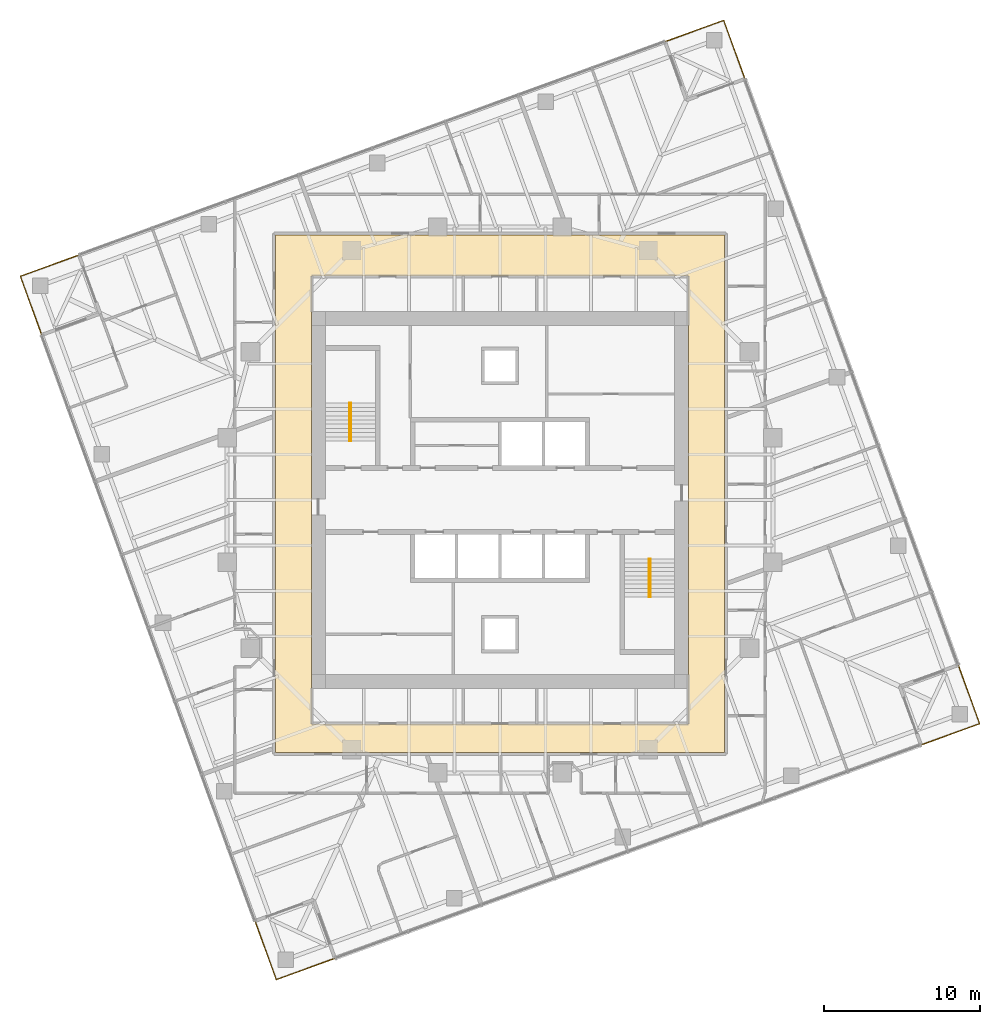
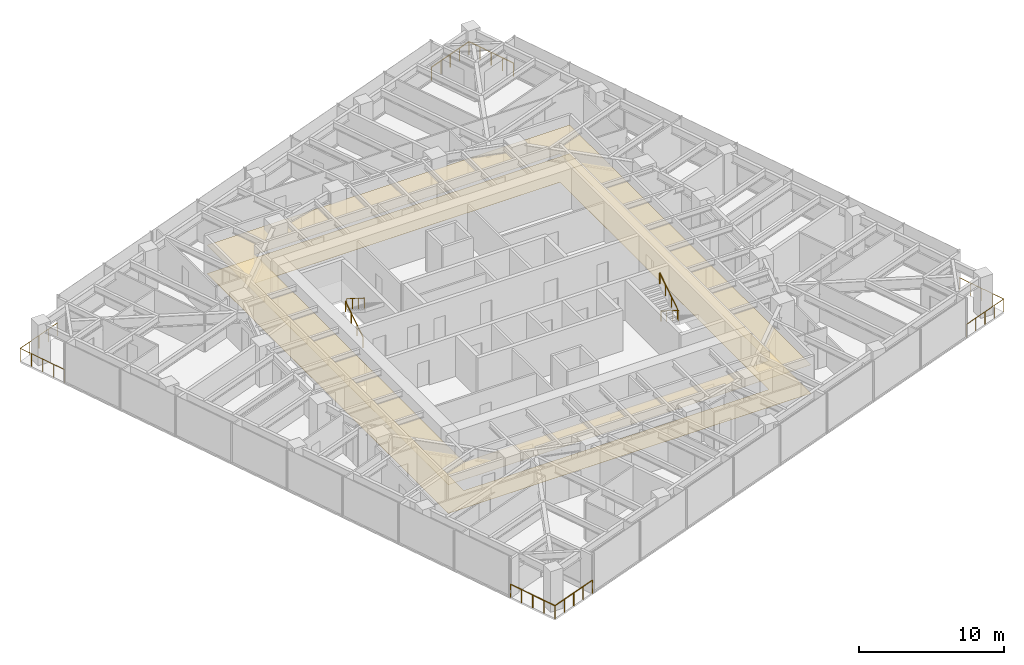
# One storey, part 13 of 13: 8 railings, 2 coverings, 2 elements without a shape of their own.
"""IFC4 building model written with IfcOpenShell, lengths in metres."""

from ifc_helpers import new_model, si_unit, direction, frame, origin, origin_2d, place, context, subcontext, project, spatial, polyline, circle, outline, extrude, material, layer, layer_set, type_object, element, aggregate, save


model = new_model("IFC4")

# Units and contexts
model_context = context("Model", 3, precision=1e-05, world=origin(), true_north=direction((0.0, 1.0)))
body_context = subcontext(model_context, "Body", "Model", "MODEL_VIEW")
ifc_project = project(units=[si_unit("LENGTHUNIT", "METRE"), si_unit("AREAUNIT", "SQUARE_METRE"), si_unit("VOLUMEUNIT", "CUBIC_METRE"), si_unit("PLANEANGLEUNIT", "RADIAN"), si_unit("MASSUNIT", "GRAM", prefix="KILO")], contexts=[model_context])

# Site, building, storey
site_placement = place(None, origin())
site = spatial("IfcSite", under=ifc_project, at=site_placement, CompositionType="ELEMENT")
building_placement = place(site_placement, origin())
building = spatial("IfcBuilding", under=site, at=building_placement, Name="Torsade Residences", CompositionType="ELEMENT")
storey_placement = place(building_placement, frame((0.0, 0.0, 157.39990234375)))
storey = spatial("IfcBuildingStorey", under=building, at=storey_placement, Name="L43", CompositionType="ELEMENT", Elevation=157.39990234375)

# Coverings
ifc_material_1 = material(Name="Nylon carpet tile on underlay", Category="textile")
ifc_layer_1 = layer(ifc_material_1, 0.010009765625)
ifc_layer_set_1 = layer_set([ifc_layer_1], Name="Nylon carpet tile on underlay")
covering_type_1 = type_object("IfcCoveringType", Name="CORRIDOR CARPET TILE 10", PredefinedType="FLOORING", material=ifc_layer_set_1)
covering_1_placement = place(storey_placement, origin())
element("IfcCovering", 1, at=covering_1_placement, inside=storey, type_object=covering_type_1, Name="Corridor carpet L43", PredefinedType="FLOORING", context=body_context, shape_type="SweptSolid", body=[
    extrude(outline(polyline([(25.60009765625, 47.0), (25.60009765625, 13.800048828125), (54.39990234375, 13.800048828125), (54.39990234375, 47.0), (25.60009765625, 47.0)]), holes=[polyline([(52.10009765625, 44.35009765625), (27.89990234375, 44.35009765625), (27.89990234375, 15.64990234375), (52.10009765625, 15.64990234375), (52.10009765625, 44.35009765625)])]), origin(), (0.0, 0.0, 1.0), 0.010009765625),
])
ifc_material_2 = material(Name="Plasterboard on suspended steel grid", Category="steel")
ifc_layer_2 = layer(ifc_material_2, 0.012939453125)
ifc_layer_set_2 = layer_set([ifc_layer_2], Name="Plasterboard on suspended steel grid")
covering_type_2 = type_object("IfcCoveringType", Name="CORRIDOR SUSPENDED CEILING 13", PredefinedType="CEILING", material=ifc_layer_set_2)
covering_2_placement = place(storey_placement, frame((0.0, 0.0, 2.400146484375)))
element("IfcCovering", 2, at=covering_2_placement, inside=storey, type_object=covering_type_2, Name="Corridor ceiling L43", PredefinedType="CEILING", context=body_context, shape_type="SweptSolid", body=[
    extrude(outline(polyline([(25.60009765625, 47.0), (25.60009765625, 13.800048828125), (54.39990234375, 13.800048828125), (54.39990234375, 47.0), (25.60009765625, 47.0)]), holes=[polyline([(52.10009765625, 44.35009765625), (27.89990234375, 44.35009765625), (27.89990234375, 15.64990234375), (52.10009765625, 15.64990234375), (52.10009765625, 44.35009765625)])]), origin(), (0.0, 0.0, 1.0), 0.012939453125),
])

# Stair, railings
ifc_material_3 = material(Name="Precast concrete 40 MPa", Category="concrete")
stair_type = type_object("IfcStairType", Name="HALF-TURN FIRE STAIR 1500x3400", PredefinedType="HALF_TURN_STAIR", material=ifc_material_3)
stair_1_placement = place(storey_placement, origin())
stair_1 = element("IfcStair", 3, at=stair_1_placement, inside=storey, type_object=stair_type, Name="Stair ST1 L43", PredefinedType="HALF_TURN_STAIR")
ifc_material_4 = material(Name="Steel handrail", Category="steel")
railing_type_1 = type_object("IfcRailingType", Name="STAIR HANDRAIL 900", PredefinedType="HANDRAIL", material=ifc_material_4)
railing_1_placement = place(storey_placement, frame((30.35009765625, 33.780029296875, 0.170166015625)))
railing_1 = element("IfcRailing", 4, at=railing_1_placement, type_object=railing_type_1, Name="Handrail ST1 flight 1 L43", PredefinedType="HANDRAIL", context=body_context, shape_type="SweptSolid", body=[
    extrude(circle(Radius=0.02392578125, at=origin_2d()), frame((0.0, 0.0, 0.8759765625), z_axis=(0.0, 0.846221481393, 0.532831309544), x_axis=(-1.0, 0.0, 0.0)), (0.0, 0.0, 1.0), 2.87158203125),
    extrude(circle(Radius=0.02099609375, at=origin_2d()), origin(), (0.0, 0.0, 1.0), 0.851806640625),
    extrude(circle(Radius=0.02099609375, at=origin_2d()), frame((0.0, 0.81005859375, 0.510009765625)), (0.0, 0.0, 1.0), 0.851806640625),
    extrude(circle(Radius=0.02099609375, at=origin_2d()), frame((0.0, 1.619873046875, 1.02001953125)), (0.0, 0.0, 1.0), 0.851806640625),
    extrude(circle(Radius=0.02099609375, at=origin_2d()), frame((0.0, 2.429931640625, 1.530029296875)), (0.0, 0.0, 1.0), 0.851806640625),
])
railing_2_placement = place(storey_placement, frame((30.449951171875, 36.2099609375, 1.8701171875)))
railing_2 = element("IfcRailing", 5, at=railing_2_placement, type_object=railing_type_1, Name="Handrail ST1 flight 2 L43", PredefinedType="HANDRAIL", context=body_context, shape_type="SweptSolid", body=[
    extrude(circle(Radius=0.02392578125, at=origin_2d()), frame((0.0, 0.0, 0.8759765625), z_axis=(0.0, -0.846221481393, 0.532831309544), x_axis=(1.0, 0.0, 0.0)), (0.0, 0.0, 1.0), 2.87158203125),
    extrude(circle(Radius=0.02099609375, at=origin_2d()), origin(), (0.0, 0.0, 1.0), 0.851806640625),
    extrude(circle(Radius=0.02099609375, at=origin_2d()), frame((0.0, -0.81005859375, 0.510009765625)), (0.0, 0.0, 1.0), 0.851806640625),
    extrude(circle(Radius=0.02099609375, at=origin_2d()), frame((0.0, -1.619873046875, 1.02001953125)), (0.0, 0.0, 1.0), 0.851806640625),
    extrude(circle(Radius=0.02099609375, at=origin_2d()), frame((0.0, -2.429931640625, 1.530029296875)), (0.0, 0.0, 1.0), 0.851806640625),
])
aggregate(stair_1, [railing_1, railing_2])

stair_2_placement = place(storey_placement, origin())
stair_2 = element("IfcStair", 6, at=stair_2_placement, inside=storey, type_object=stair_type, Name="Stair ST2 L43", PredefinedType="HALF_TURN_STAIR")
railing_3_placement = place(storey_placement, frame((49.64990234375, 26.219970703125, 0.170166015625)))
railing_3 = element("IfcRailing", 7, at=railing_3_placement, type_object=railing_type_1, Name="Handrail ST2 flight 1 L43", PredefinedType="HANDRAIL", context=body_context, shape_type="SweptSolid", body=[
    extrude(circle(Radius=0.02392578125, at=origin_2d()), frame((0.0, 0.0, 0.8759765625), z_axis=(0.0, -0.846221481393, 0.532831309544), x_axis=(1.0, 0.0, 0.0)), (0.0, 0.0, 1.0), 2.87158203125),
    extrude(circle(Radius=0.02099609375, at=origin_2d()), origin(), (0.0, 0.0, 1.0), 0.851806640625),
    extrude(circle(Radius=0.02099609375, at=origin_2d()), frame((0.0, -0.81005859375, 0.510009765625)), (0.0, 0.0, 1.0), 0.851806640625),
    extrude(circle(Radius=0.02099609375, at=origin_2d()), frame((0.0, -1.619873046875, 1.02001953125)), (0.0, 0.0, 1.0), 0.851806640625),
    extrude(circle(Radius=0.02099609375, at=origin_2d()), frame((0.0, -2.429931640625, 1.530029296875)), (0.0, 0.0, 1.0), 0.851806640625),
])
railing_4_placement = place(storey_placement, frame((49.550048828125, 23.7900390625, 1.8701171875)))
railing_4 = element("IfcRailing", 8, at=railing_4_placement, type_object=railing_type_1, Name="Handrail ST2 flight 2 L43", PredefinedType="HANDRAIL", context=body_context, shape_type="SweptSolid", body=[
    extrude(circle(Radius=0.02392578125, at=origin_2d()), frame((0.0, 0.0, 0.8759765625), z_axis=(0.0, 0.846221481393, 0.532831309544), x_axis=(-1.0, 0.0, 0.0)), (0.0, 0.0, 1.0), 2.87158203125),
    extrude(circle(Radius=0.02099609375, at=origin_2d()), origin(), (0.0, 0.0, 1.0), 0.851806640625),
    extrude(circle(Radius=0.02099609375, at=origin_2d()), frame((0.0, 0.81005859375, 0.510009765625)), (0.0, 0.0, 1.0), 0.851806640625),
    extrude(circle(Radius=0.02099609375, at=origin_2d()), frame((0.0, 1.619873046875, 1.02001953125)), (0.0, 0.0, 1.0), 0.851806640625),
    extrude(circle(Radius=0.02099609375, at=origin_2d()), frame((0.0, 2.429931640625, 1.530029296875)), (0.0, 0.0, 1.0), 0.851806640625),
])
aggregate(stair_2, [railing_3, railing_4])

# Railings
ifc_material_5 = material(Name="Laminated glass balustrade", Category="glass")
railing_type_2 = type_object("IfcRailingType", Name="TERRACE GLASS BALUSTRADE 1100", PredefinedType="BALUSTRADE", material=ifc_material_5)
railing_5_placement = place(storey_placement, frame((67.00244140625, 14.287841796875, 0.0)))
element("IfcRailing", 9, at=railing_5_placement, inside=storey, type_object=railing_type_2, Name="Terrace balustrade SE L43", PredefinedType="BALUSTRADE", context=body_context, shape_type="SweptSolid", body=[
    extrude(circle(Radius=0.02392578125, at=origin_2d()), frame((0.0, 0.0, 1.076171875), z_axis=(0.939698932726, 0.342002800914, 0.0), x_axis=(-0.342002800914, 0.939698932726, 0.0)), (0.0, 0.0, 1.0), 3.999755859375),
    extrude(circle(Radius=0.02392578125, at=origin_2d()), frame((3.758544921875, 1.367919921875, 1.076171875), z_axis=(-0.341983185197, 0.939706071622, 0.0), x_axis=(-0.939706071622, -0.341983185197, 0.0)), (0.0, 0.0, 1.0), 4.0),
    extrude(circle(Radius=0.02099609375, at=origin_2d()), origin(), (0.0, 0.0, 1.0), 1.052001953125),
    extrude(circle(Radius=0.02099609375, at=origin_2d()), frame((0.939697265625, 0.342041015625, 0.0)), (0.0, 0.0, 1.0), 1.052001953125),
    extrude(circle(Radius=0.02099609375, at=origin_2d()), frame((1.87939453125, 0.68408203125, 0.0)), (0.0, 0.0, 1.0), 1.052001953125),
    extrude(circle(Radius=0.02099609375, at=origin_2d()), frame((2.81884765625, 1.02587890625, 0.0)), (0.0, 0.0, 1.0), 1.052001953125),
    extrude(circle(Radius=0.02099609375, at=origin_2d()), frame((3.758544921875, 1.367919921875, 0.0)), (0.0, 0.0, 1.0), 1.052001953125),
    extrude(circle(Radius=0.02099609375, at=origin_2d()), frame((3.41650390625, 2.3076171875, 0.0)), (0.0, 0.0, 1.0), 1.052001953125),
    extrude(circle(Radius=0.02099609375, at=origin_2d()), frame((3.07470703125, 3.247314453125, 0.0)), (0.0, 0.0, 1.0), 1.052001953125),
    extrude(circle(Radius=0.02099609375, at=origin_2d()), frame((2.732666015625, 4.18701171875, 0.0)), (0.0, 0.0, 1.0), 1.052001953125),
    extrude(circle(Radius=0.02099609375, at=origin_2d()), frame((2.390625, 5.126708984375, 0.0)), (0.0, 0.0, 1.0), 1.052001953125),
])
railing_6_placement = place(storey_placement, frame((55.712158203125, 57.00244140625, 0.0)))
element("IfcRailing", 10, at=railing_6_placement, inside=storey, type_object=railing_type_2, Name="Terrace balustrade NE L43", PredefinedType="BALUSTRADE", context=body_context, shape_type="SweptSolid", body=[
    extrude(circle(Radius=0.02392578125, at=origin_2d()), frame((0.0, 0.0, 1.076171875), z_axis=(-0.342002800914, 0.939698932726, 0.0), x_axis=(-0.939698932726, -0.342002800914, 0.0)), (0.0, 0.0, 1.0), 3.999755859375),
    extrude(circle(Radius=0.02392578125, at=origin_2d()), frame((-1.367919921875, 3.758544921875, 1.076171875), z_axis=(-0.939706071622, -0.341983185197, 0.0), x_axis=(0.341983185197, -0.939706071622, 0.0)), (0.0, 0.0, 1.0), 4.0),
    extrude(circle(Radius=0.02099609375, at=origin_2d()), origin(), (0.0, 0.0, 1.0), 1.052001953125),
    extrude(circle(Radius=0.02099609375, at=origin_2d()), frame((-0.342041015625, 0.939697265625, 0.0)), (0.0, 0.0, 1.0), 1.052001953125),
    extrude(circle(Radius=0.02099609375, at=origin_2d()), frame((-0.68408203125, 1.87939453125, 0.0)), (0.0, 0.0, 1.0), 1.052001953125),
    extrude(circle(Radius=0.02099609375, at=origin_2d()), frame((-1.02587890625, 2.81884765625, 0.0)), (0.0, 0.0, 1.0), 1.052001953125),
    extrude(circle(Radius=0.02099609375, at=origin_2d()), frame((-1.367919921875, 3.758544921875, 0.0)), (0.0, 0.0, 1.0), 1.052001953125),
    extrude(circle(Radius=0.02099609375, at=origin_2d()), frame((-2.3076171875, 3.41650390625, 0.0)), (0.0, 0.0, 1.0), 1.052001953125),
    extrude(circle(Radius=0.02099609375, at=origin_2d()), frame((-3.247314453125, 3.07470703125, 0.0)), (0.0, 0.0, 1.0), 1.052001953125),
    extrude(circle(Radius=0.02099609375, at=origin_2d()), frame((-4.18701171875, 2.732666015625, 0.0)), (0.0, 0.0, 1.0), 1.052001953125),
    extrude(circle(Radius=0.02099609375, at=origin_2d()), frame((-5.126708984375, 2.390625, 0.0)), (0.0, 0.0, 1.0), 1.052001953125),
])
railing_7_placement = place(storey_placement, frame((12.99755859375, 45.712158203125, 0.0)))
element("IfcRailing", 11, at=railing_7_placement, inside=storey, type_object=railing_type_2, Name="Terrace balustrade NW L43", PredefinedType="BALUSTRADE", context=body_context, shape_type="SweptSolid", body=[
    extrude(circle(Radius=0.02392578125, at=origin_2d()), frame((0.0, 0.0, 1.076171875), z_axis=(-0.939698932726, -0.342002800914, 0.0), x_axis=(0.342002800914, -0.939698932726, 0.0)), (0.0, 0.0, 1.0), 3.999755859375),
    extrude(circle(Radius=0.02392578125, at=origin_2d()), frame((-3.758544921875, -1.367919921875, 1.076171875), z_axis=(0.341983185197, -0.939706071622, 0.0), x_axis=(0.939706071622, 0.341983185197, 0.0)), (0.0, 0.0, 1.0), 4.0),
    extrude(circle(Radius=0.02099609375, at=origin_2d()), origin(), (0.0, 0.0, 1.0), 1.052001953125),
    extrude(circle(Radius=0.02099609375, at=origin_2d()), frame((-0.939697265625, -0.342041015625, 0.0)), (0.0, 0.0, 1.0), 1.052001953125),
    extrude(circle(Radius=0.02099609375, at=origin_2d()), frame((-1.87939453125, -0.68408203125, 0.0)), (0.0, 0.0, 1.0), 1.052001953125),
    extrude(circle(Radius=0.02099609375, at=origin_2d()), frame((-2.81884765625, -1.02587890625, 0.0)), (0.0, 0.0, 1.0), 1.052001953125),
    extrude(circle(Radius=0.02099609375, at=origin_2d()), frame((-3.758544921875, -1.367919921875, 0.0)), (0.0, 0.0, 1.0), 1.052001953125),
    extrude(circle(Radius=0.02099609375, at=origin_2d()), frame((-3.41650390625, -2.3076171875, 0.0)), (0.0, 0.0, 1.0), 1.052001953125),
    extrude(circle(Radius=0.02099609375, at=origin_2d()), frame((-3.07470703125, -3.247314453125, 0.0)), (0.0, 0.0, 1.0), 1.052001953125),
    extrude(circle(Radius=0.02099609375, at=origin_2d()), frame((-2.732666015625, -4.18701171875, 0.0)), (0.0, 0.0, 1.0), 1.052001953125),
    extrude(circle(Radius=0.02099609375, at=origin_2d()), frame((-2.390625, -5.126708984375, 0.0)), (0.0, 0.0, 1.0), 1.052001953125),
])
railing_8_placement = place(storey_placement, frame((24.287841796875, 2.99755859375, 0.0)))
element("IfcRailing", 12, at=railing_8_placement, inside=storey, type_object=railing_type_2, Name="Terrace balustrade SW L43", PredefinedType="BALUSTRADE", context=body_context, shape_type="SweptSolid", body=[
    extrude(circle(Radius=0.02392578125, at=origin_2d()), frame((0.0, 0.0, 1.076171875), z_axis=(0.342002800914, -0.939698932726, 0.0), x_axis=(0.939698932726, 0.342002800914, 0.0)), (0.0, 0.0, 1.0), 3.999755859375),
    extrude(circle(Radius=0.02392578125, at=origin_2d()), frame((1.367919921875, -3.758544921875, 1.076171875), z_axis=(0.939706071622, 0.341983185197, 0.0), x_axis=(-0.341983185197, 0.939706071622, 0.0)), (0.0, 0.0, 1.0), 4.0),
    extrude(circle(Radius=0.02099609375, at=origin_2d()), origin(), (0.0, 0.0, 1.0), 1.052001953125),
    extrude(circle(Radius=0.02099609375, at=origin_2d()), frame((0.342041015625, -0.939697265625, 0.0)), (0.0, 0.0, 1.0), 1.052001953125),
    extrude(circle(Radius=0.02099609375, at=origin_2d()), frame((0.68408203125, -1.87939453125, 0.0)), (0.0, 0.0, 1.0), 1.052001953125),
    extrude(circle(Radius=0.02099609375, at=origin_2d()), frame((1.02587890625, -2.81884765625, 0.0)), (0.0, 0.0, 1.0), 1.052001953125),
    extrude(circle(Radius=0.02099609375, at=origin_2d()), frame((1.367919921875, -3.758544921875, 0.0)), (0.0, 0.0, 1.0), 1.052001953125),
    extrude(circle(Radius=0.02099609375, at=origin_2d()), frame((2.3076171875, -3.41650390625, 0.0)), (0.0, 0.0, 1.0), 1.052001953125),
    extrude(circle(Radius=0.02099609375, at=origin_2d()), frame((3.247314453125, -3.07470703125, 0.0)), (0.0, 0.0, 1.0), 1.052001953125),
    extrude(circle(Radius=0.02099609375, at=origin_2d()), frame((4.18701171875, -2.732666015625, 0.0)), (0.0, 0.0, 1.0), 1.052001953125),
    extrude(circle(Radius=0.02099609375, at=origin_2d()), frame((5.126708984375, -2.390625, 0.0)), (0.0, 0.0, 1.0), 1.052001953125),
])

save(model, "model.ifc")
